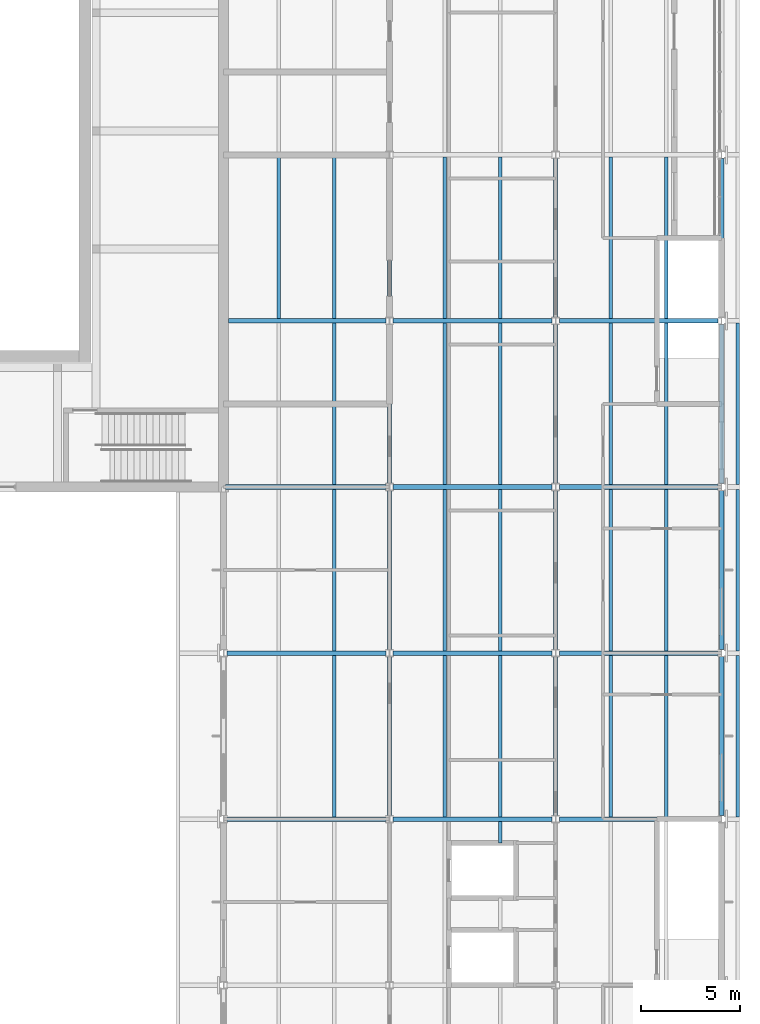
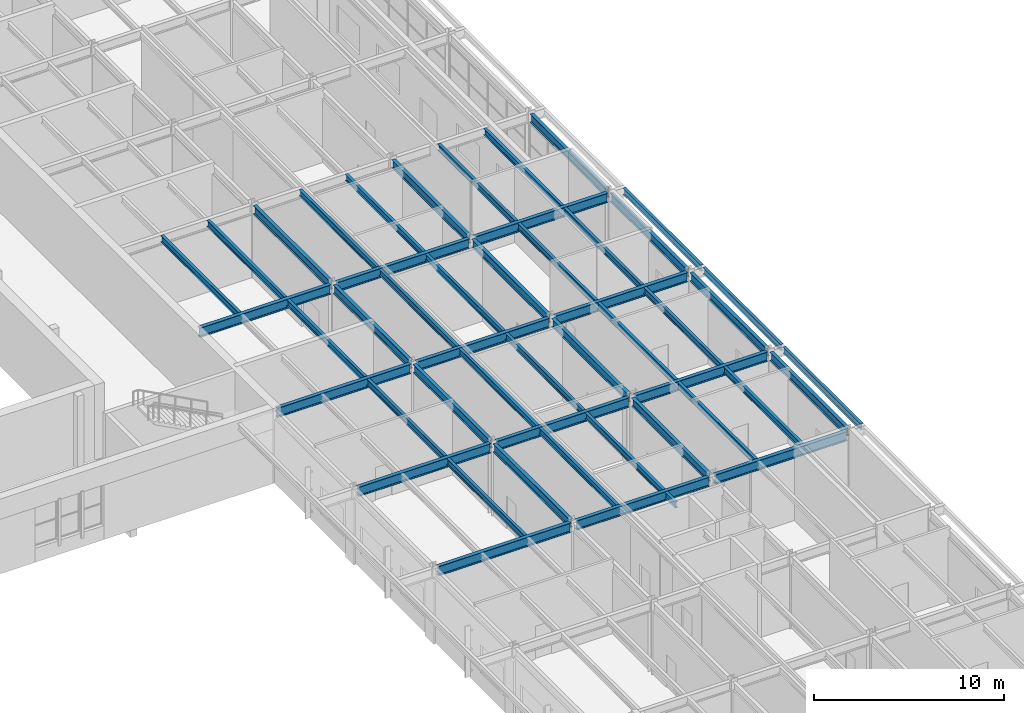
# One storey, part 28 of 116: 49 beams.
"""IFC4 building model written with IfcOpenShell, lengths in metres."""

import ifcopenshell
import ifcopenshell.guid

model = None  # the IFC model being written
_history = None  # IfcOwnerHistory: only IFC2X3 demands one
_inside = {}  # id of a spatial element -> (the spatial element, [elements in it])
_under = {}  # id of a project, library or spatial element -> (it, [spatial elements below it])
_declared = {}  # id of a project -> (the project, [libraries it declares])
_typed = {}  # id of a type object -> (the type object, [elements of that type])
_made_of = {}  # id of a material, layer set ... -> (it, [elements and type objects made of it])


def new_model(schema):
    """Start an empty IFC model of exactly this schema.

    Asked for "IFC4X3", IfcOpenShell would pick the latest addendum, in which some entities
    have other attributes; the version numbers below select the first issue.
    IFC2X3 requires an IfcOwnerHistory on every rooted entity: one is made here for all.
    """
    global model, _history
    if schema == "IFC4X3":
        model = ifcopenshell.file(schema_version=(4, 3, 0, 0))
    else:
        model = ifcopenshell.file(schema=schema)
    _inside.clear()
    _under.clear()
    _declared.clear()
    _typed.clear()
    _made_of.clear()
    _history = None
    if model.schema == "IFC2X3":
        org = make("IfcOrganization", Name="unknown")
        user = make(
            "IfcPersonAndOrganization",
            ThePerson=make("IfcPerson", FamilyName="unknown"),
            TheOrganization=org,
        )
        app = make(
            "IfcApplication",
            ApplicationDeveloper=org,
            Version="unknown",
            ApplicationFullName="unknown",
            ApplicationIdentifier="unknown",
        )
        _history = make(
            "IfcOwnerHistory",
            OwningUser=user,
            OwningApplication=app,
            ChangeAction="ADDED",
            CreationDate=0,
        )
    return model


def make(cls, **values):
    """One entity of the class cls with the attributes given. An attribute that is None is left unset."""
    return model.create_entity(
        cls, **{name: value for name, value in values.items() if value is not None}
    )


def rooted(cls, **values):
    """An entity with a GlobalId (a new one), such as an element, a storey or a relation."""
    return make(cls, GlobalId=ifcopenshell.guid.new(), OwnerHistory=_history, **values)


def si_unit(unit_type, name, prefix=None):
    """IfcSIUnit, for example si_unit("LENGTHUNIT", "METRE", prefix="MILLI")."""
    return make("IfcSIUnit", UnitType=unit_type, Prefix=prefix, Name=name)


def assignment(units):
    """IfcUnitAssignment: the units of a project."""
    return None if units is None else make("IfcUnitAssignment", Units=units)


def point(xyz):
    """IfcCartesianPoint."""
    return None if xyz is None else make("IfcCartesianPoint", Coordinates=xyz)


def direction(xyz):
    """IfcDirection."""
    return None if xyz is None else make("IfcDirection", DirectionRatios=xyz)


def frame(location, z_axis=None, x_axis=None):
    """IfcAxis2Placement3D, a coordinate frame: its origin and axes. An axis left out is left unset."""
    return make(
        "IfcAxis2Placement3D",
        Location=point(location),
        Axis=direction(z_axis),
        RefDirection=direction(x_axis),
    )


def frame_2d(location, x_axis=None):
    """IfcAxis2Placement2D, a coordinate frame in the plane: its origin and x axis."""
    return make(
        "IfcAxis2Placement2D", Location=point(location), RefDirection=direction(x_axis)
    )


def origin():
    """The frame at (0, 0, 0) with its axes left unset."""
    return frame((0.0, 0.0, 0.0))


def origin_2d():
    """The frame at (0, 0) in the plane with its x axis left unset."""
    return frame_2d((0.0, 0.0))


def place(relative_to, where):
    """IfcLocalPlacement: puts the frame where relative to a parent placement (None: the world)."""
    return make(
        "IfcLocalPlacement", PlacementRelTo=relative_to, RelativePlacement=where
    )


def context(
    kind, dimensions, precision=None, world=None, true_north=None, identifier=None
):
    """IfcGeometricRepresentationContext, for example the 3D "Model" context."""
    return make(
        "IfcGeometricRepresentationContext",
        ContextIdentifier=identifier,
        ContextType=kind,
        CoordinateSpaceDimension=dimensions,
        Precision=precision,
        WorldCoordinateSystem=world,
        TrueNorth=true_north,
    )


def subcontext(parent, identifier, kind, view, scale=None):
    """IfcGeometricRepresentationSubContext, for example "Body" below "Model"."""
    return make(
        "IfcGeometricRepresentationSubContext",
        ContextIdentifier=identifier,
        ContextType=kind,
        ParentContext=parent,
        TargetScale=scale,
        TargetView=view,
    )


def project(units=None, contexts=None):
    """IfcProject with its units and contexts."""
    return rooted(
        "IfcProject",
        Name="project",
        RepresentationContexts=contexts,
        UnitsInContext=assignment(units),
    )


def spatial(cls, under=None, at=None, **own):
    """A site, building, storey or space (cls), placed at a placement, below another one or the project."""
    s = rooted(cls, ObjectPlacement=at, **own)
    if under is not None:
        _under.setdefault(under.id(), (under, []))[1].append(s)
    return s


def profile(cls, at=None, kind="AREA", **sizes):
    """A parametric profile (cls). Its sizes go by their IFC names, for example OverallWidth=200.0."""
    return make(cls, ProfileType=kind, Position=at, **sizes)


def i_section(**sizes):
    """IfcIShapeProfileDef."""
    return profile("IfcIShapeProfileDef", **sizes)


def extrude(swept, where, along, depth):
    """IfcExtrudedAreaSolid: the profile swept, set in the frame where, extruded along a direction by depth."""
    return make(
        "IfcExtrudedAreaSolid",
        SweptArea=swept,
        Position=where,
        ExtrudedDirection=direction(along),
        Depth=depth,
    )


def shape(context_of_items, identifier, shape_type, items):
    """IfcShapeRepresentation: the items that make up one representation, for example the "Body"."""
    return make(
        "IfcShapeRepresentation",
        ContextOfItems=context_of_items,
        RepresentationIdentifier=identifier,
        RepresentationType=shape_type,
        Items=items,
    )


def material(Name=None, Category=None):
    """IfcMaterial."""
    return make("IfcMaterial", Name=Name, Category=Category)


def material_profile(
    of_material, cross_section, Name=None, Category=None, Priority=None
):
    """IfcMaterialProfile: a cross section and its material."""
    return make(
        "IfcMaterialProfile",
        Name=Name,
        Material=of_material,
        Profile=cross_section,
        Priority=Priority,
        Category=Category,
    )


def profile_set(profiles, Name=None, composite=None):
    """IfcMaterialProfileSet."""
    return make(
        "IfcMaterialProfileSet",
        Name=Name,
        MaterialProfiles=profiles,
        CompositeProfile=composite,
    )


def made_of(thing, what):
    """Note that an element or type object is made of a material, layer set ...; save() writes the relation."""
    if what is not None:
        _made_of.setdefault(what.id(), (what, []))[1].append(thing)
    return thing


def type_object(cls, material=None, **own):
    """A type object (cls), such as IfcWallType, which elements share."""
    return made_of(rooted(cls, **own), material)


def element(
    cls,
    number,
    at=None,
    inside=None,
    cuts=None,
    type_object=None,
    material=None,
    context=None,
    identifier="Body",
    shape_type=None,
    held_by="IfcProductDefinitionShape",
    body=None,
    shapes=None,
    **own,
):
    """One element of the class cls, such as IfcWall. Its Tag is "e" and its number.

    at: its placement. inside: the storey or other place that contains it. cuts: it is an
    opening in that element (IfcRelVoidsElement). A single representation is given by context,
    identifier, shape_type and body (its items); several are given by shapes. held_by: the class
    of the entity that holds the representations. save() writes the other relations.
    """
    e = rooted(cls, Tag="e%d" % number, ObjectPlacement=at, **own)
    if body is not None:
        shapes = [shape(context, identifier, shape_type, body)]
    if shapes is not None:
        e.Representation = make(held_by, Representations=shapes)
    if inside is not None:
        _inside.setdefault(inside.id(), (inside, []))[1].append(e)
    if cuts is not None:
        rooted(
            "IfcRelVoidsElement", RelatingBuildingElement=cuts, RelatedOpeningElement=e
        )
    if type_object is not None:
        _typed.setdefault(type_object.id(), (type_object, []))[1].append(e)
    return made_of(e, material)


def aggregate(whole, parts):
    """IfcRelAggregates: a whole, such as a stair, and the parts it consists of."""
    return rooted("IfcRelAggregates", RelatingObject=whole, RelatedObjects=parts)


def save(model, path):
    """Write the relations noted so far, then the file.

    IfcRelAggregates (storeys below a building ...), IfcRelContainedInSpatialStructure (elements
    in a storey), IfcRelDefinesByType, IfcRelAssociatesMaterial and IfcRelDeclares: one each for
    every whole, place, type object, material and project.
    """
    for whole, parts in _under.values():
        aggregate(whole, parts)
    for where, things in _inside.values():
        rooted(
            "IfcRelContainedInSpatialStructure",
            RelatedElements=things,
            RelatingStructure=where,
        )
    for kind, things in _typed.values():
        rooted("IfcRelDefinesByType", RelatedObjects=things, RelatingType=kind)
    for what, things in _made_of.values():
        rooted("IfcRelAssociatesMaterial", RelatedObjects=things, RelatingMaterial=what)
    for by, libraries in _declared.values():
        rooted("IfcRelDeclares", RelatingContext=by, RelatedDefinitions=libraries)
    model.write(path)


model = new_model("IFC4")

# Units and contexts
model_context = context("Model", 3, precision=1e-05, world=origin(), true_north=direction((0.0, 1.0)))
body_context = subcontext(model_context, "Body", "Model", "MODEL_VIEW")
ifc_project = project(units=[si_unit("LENGTHUNIT", "METRE"), si_unit("AREAUNIT", "SQUARE_METRE"), si_unit("VOLUMEUNIT", "CUBIC_METRE"), si_unit("PLANEANGLEUNIT", "RADIAN"), si_unit("MASSUNIT", "GRAM", prefix="KILO")], contexts=[model_context])

# Site, building, storey
site_placement = place(None, origin())
site = spatial("IfcSite", under=ifc_project, at=site_placement, CompositionType="ELEMENT")
building_placement = place(site_placement, origin())
building = spatial("IfcBuilding", under=site, at=building_placement, Name="Ljudholm Concert House", CompositionType="ELEMENT")
storey_placement = place(building_placement, frame((0.0, 0.0, 10.199951171875)))
storey = spatial("IfcBuildingStorey", under=building, at=storey_placement, Name="L02", CompositionType="ELEMENT", Elevation=10.199951171875)

# Beams
ifc_material_1 = material(Name="Steel ASTM A992", Category="steel")
ifc_material_profile_1 = material_profile(ifc_material_1, i_section(OverallWidth=0.177734375, OverallDepth=0.406494140625, WebThickness=0.0078125, FlangeThickness=0.012939453125, FilletRadius=0.01025390625, at=origin_2d()), Name="W16X40")
ifc_profile_set_1 = profile_set([ifc_material_profile_1], Name="Steel ASTM A992")
beam_type_1 = type_object("IfcBeamType", Name="STEEL BEAM W16X40", PredefinedType="BEAM", material=ifc_profile_set_1)
for number, where, z_axis, x_axis, name in (
    (1, (102.0, 37.714599609375, 4.416748046875), (0.0, 1.0, 0.0), (-1.0, 0.0, 0.0), "Beam BOH-ROOF-sb-102-37.6"),
    (2, (102.0, 46.114501953125, 4.416748046875), (0.0, 1.0, 0.0), (-1.0, 0.0, 0.0), "Beam BOH-ROOF-sb-102-46"),
    (3, (102.0, 54.5146484375, 4.416748046875), (0.0, 1.0, 0.0), (-1.0, 0.0, 0.0), "Beam BOH-ROOF-sb-102-54.4"),
    (4, (99.199951171875, 62.91455078125, 4.416748046875), (0.0, 1.0, 0.0), (-1.0, 0.0, 0.0), "Beam BOH-ROOF-sb-99.2-62.8"),
    (5, (102.0, 62.91455078125, 4.416748046875), (0.0, 1.0, 0.0), (-1.0, 0.0, 0.0), "Beam BOH-ROOF-sb-102-62.8"),
):
    element("IfcBeam", number, at=place(storey_placement, frame(where, z_axis=z_axis, x_axis=x_axis)), inside=storey, type_object=beam_type_1, Name=name, PredefinedType="BEAM", context=body_context, shape_type="SweptSolid", body=[
        extrude(i_section(OverallWidth=0.177734375, OverallDepth=0.406494140625, WebThickness=0.0078125, FlangeThickness=0.012939453125, FilletRadius=0.01025390625, at=origin_2d()), origin(), (0.0, 0.0, 1.0), 8.1708984375),
    ])
beam_1_placement = place(storey_placement, frame((110.39990234375, 36.39990234375, 4.416748046875), z_axis=(0.0, 1.0, 0.0), x_axis=(-1.0, 0.0, 0.0)))
element("IfcBeam", 6, at=beam_1_placement, inside=storey, type_object=beam_type_1, Name="Beam BOH-ROOF-sb-110.4-29.2-2", PredefinedType="BEAM", context=body_context, shape_type="SweptSolid", body=[
    extrude(i_section(OverallWidth=0.177734375, OverallDepth=0.406494140625, WebThickness=0.0078125, FlangeThickness=0.012939453125, FilletRadius=0.01025390625, at=origin_2d()), origin(), (0.0, 0.0, 1.0), 1.08544921875),
])
for number, where, z_axis, x_axis, name in (
    (7, (107.60009765625, 37.714599609375, 4.416748046875), (0.0, 1.0, 0.0), (-1.0, 0.0, 0.0), "Beam BOH-ROOF-sb-107.6-37.6"),
    (8, (110.39990234375, 37.714599609375, 4.416748046875), (0.0, 1.0, 0.0), (-1.0, 0.0, 0.0), "Beam BOH-ROOF-sb-110.4-37.6"),
    (9, (107.60009765625, 46.114501953125, 4.416748046875), (0.0, 1.0, 0.0), (-1.0, 0.0, 0.0), "Beam BOH-ROOF-sb-107.6-46"),
    (10, (110.39990234375, 46.114501953125, 4.416748046875), (0.0, 1.0, 0.0), (-1.0, 0.0, 0.0), "Beam BOH-ROOF-sb-110.4-46"),
    (11, (107.60009765625, 54.5146484375, 4.416748046875), (0.0, 1.0, 0.0), (-1.0, 0.0, 0.0), "Beam BOH-ROOF-sb-107.6-54.4"),
    (12, (110.39990234375, 54.5146484375, 4.416748046875), (0.0, 1.0, 0.0), (-1.0, 0.0, 0.0), "Beam BOH-ROOF-sb-110.4-54.4"),
    (13, (107.60009765625, 62.91455078125, 4.416748046875), (0.0, 1.0, 0.0), (-1.0, 0.0, 0.0), "Beam BOH-ROOF-sb-107.6-62.8"),
    (14, (110.39990234375, 62.91455078125, 4.416748046875), (0.0, 1.0, 0.0), (-1.0, 0.0, 0.0), "Beam BOH-ROOF-sb-110.4-62.8"),
    (15, (116.0, 37.714599609375, 4.416748046875), (0.0, 1.0, 0.0), (-1.0, 0.0, 0.0), "Beam BOH-ROOF-sb-116-37.6"),
    (16, (118.800048828125, 37.714599609375, 4.416748046875), (0.0, 1.0, 0.0), (-1.0, 0.0, 0.0), "Beam BOH-ROOF-sb-118.8-37.6"),
    (17, (116.0, 46.114501953125, 4.416748046875), (0.0, 1.0, 0.0), (-1.0, 0.0, 0.0), "Beam BOH-ROOF-sb-116-46"),
    (18, (118.800048828125, 46.114501953125, 4.416748046875), (0.0, 1.0, 0.0), (-1.0, 0.0, 0.0), "Beam BOH-ROOF-sb-118.8-46"),
    (19, (116.0, 54.5146484375, 4.416748046875), (0.0, 1.0, 0.0), (-1.0, 0.0, 0.0), "Beam BOH-ROOF-sb-116-54.4"),
    (20, (118.800048828125, 54.5146484375, 4.416748046875), (0.0, 1.0, 0.0), (-1.0, 0.0, 0.0), "Beam BOH-ROOF-sb-118.8-54.4"),
    (21, (116.0, 62.91455078125, 4.416748046875), (0.0, 1.0, 0.0), (-1.0, 0.0, 0.0), "Beam BOH-ROOF-sb-116-62.8"),
    (22, (118.800048828125, 62.91455078125, 4.416748046875), (0.0, 1.0, 0.0), (-1.0, 0.0, 0.0), "Beam BOH-ROOF-sb-118.8-62.8"),
    (23, (122.4111328125, 37.714599609375, 4.416748046875), (0.0, 1.0, 0.0), (-1.0, 0.0, 0.0), "Beam BOH-ROOF-eave-edge-E5"),
    (24, (122.4111328125, 46.114501953125, 4.416748046875), (0.0, 1.0, 0.0), (-1.0, 0.0, 0.0), "Beam BOH-ROOF-eave-edge-E6"),
    (25, (122.4111328125, 54.5146484375, 4.416748046875), (0.0, 1.0, 0.0), (-1.0, 0.0, 0.0), "Beam BOH-ROOF-eave-edge-E7"),
):
    element("IfcBeam", number, at=place(storey_placement, frame(where, z_axis=z_axis, x_axis=x_axis)), inside=storey, type_object=beam_type_1, Name=name, PredefinedType="BEAM", context=body_context, shape_type="SweptSolid", body=[
        extrude(i_section(OverallWidth=0.177734375, OverallDepth=0.406494140625, WebThickness=0.0078125, FlangeThickness=0.012939453125, FilletRadius=0.01025390625, at=origin_2d()), origin(), (0.0, 0.0, 1.0), 8.1708984375),
    ])
ifc_material_2 = material(Name="Steel ASTM A992", Category="steel")
ifc_material_profile_2 = material_profile(ifc_material_2, i_section(OverallWidth=0.209228515625, OverallDepth=0.533447265625, WebThickness=0.01025390625, FlangeThickness=0.015625, FilletRadius=0.012939453125, at=origin_2d()), Name="W21X62")
ifc_profile_set_2 = profile_set([ifc_material_profile_2], Name="Steel ASTM A992")
beam_type_2 = type_object("IfcBeamType", Name="STEEL BEAM W21X62", PredefinedType="BEAM", material=ifc_profile_set_2)
for number, where, z_axis, x_axis, name in (
    (26, (104.800048828125, 37.77783203125, 4.353271484375), (0.0, 1.0, 0.0), (-1.0, 0.0, 0.0), "Beam BOH-ROOF-gy-104.8-37.6"),
    (27, (104.800048828125, 46.177734375, 4.353271484375), (0.0, 1.0, 0.0), (-1.0, 0.0, 0.0), "Beam BOH-ROOF-gy-104.8-46"),
    (28, (104.800048828125, 54.577880859375, 4.353271484375), (0.0, 1.0, 0.0), (-1.0, 0.0, 0.0), "Beam BOH-ROOF-gy-104.8-54.4"),
    (29, (104.800048828125, 62.977783203125, 4.353271484375), (0.0, 1.0, 0.0), (-1.0, 0.0, 0.0), "Beam BOH-ROOF-gy-104.8-62.8"),
    (30, (113.199951171875, 37.77783203125, 4.353271484375), (0.0, 1.0, 0.0), (-1.0, 0.0, 0.0), "Beam BOH-ROOF-gy-113.2-37.6"),
    (31, (113.199951171875, 46.177734375, 4.353271484375), (0.0, 1.0, 0.0), (-1.0, 0.0, 0.0), "Beam BOH-ROOF-gy-113.2-46"),
    (32, (113.199951171875, 54.577880859375, 4.353271484375), (0.0, 1.0, 0.0), (-1.0, 0.0, 0.0), "Beam BOH-ROOF-gy-113.2-54.4"),
    (33, (113.199951171875, 62.977783203125, 4.353271484375), (0.0, 1.0, 0.0), (-1.0, 0.0, 0.0), "Beam BOH-ROOF-gy-113.2-62.8"),
    (34, (121.60009765625, 37.77783203125, 4.353271484375), (0.0, 1.0, 0.0), (-1.0, 0.0, 0.0), "Beam BOH-ROOF-gy-121.6-37.6"),
    (35, (121.60009765625, 46.177734375, 4.353271484375), (0.0, 1.0, 0.0), (-1.0, 0.0, 0.0), "Beam BOH-ROOF-gy-121.6-46"),
    (36, (121.60009765625, 54.577880859375, 4.353271484375), (0.0, 1.0, 0.0), (-1.0, 0.0, 0.0), "Beam BOH-ROOF-gy-121.6-54.4"),
    (37, (121.60009765625, 62.977783203125, 4.353271484375), (0.0, 1.0, 0.0), (-1.0, 0.0, 0.0), "Beam BOH-ROOF-gy-121.6-62.8"),
):
    element("IfcBeam", number, at=place(storey_placement, frame(where, z_axis=z_axis, x_axis=x_axis)), inside=storey, type_object=beam_type_2, Name=name, PredefinedType="BEAM", context=body_context, shape_type="SweptSolid", body=[
        extrude(i_section(OverallWidth=0.209228515625, OverallDepth=0.533447265625, WebThickness=0.01025390625, FlangeThickness=0.015625, FilletRadius=0.012939453125, at=origin_2d()), origin(), (0.0, 0.0, 1.0), 8.04443359375),
    ])
ifc_material_3 = material(Name="Steel ASTM A992", Category="steel")
ifc_material_profile_3 = material_profile(ifc_material_3, i_section(OverallWidth=0.22900390625, OverallDepth=0.612060546875, WebThickness=0.011962890625, FlangeThickness=0.01953125, FilletRadius=0.0126953125, at=origin_2d()), Name="W24X84")
ifc_profile_set_3 = profile_set([ifc_material_profile_3], Name="Steel ASTM A992")
beam_type_3 = type_object("IfcBeamType", Name="STEEL BEAM W24X84", PredefinedType="BEAM", material=ifc_profile_set_3)
for number, where, z_axis, x_axis, name in (
    (38, (96.584228515625, 37.60009765625, 4.31396484375), (1.0, 0.0, 0.0), (0.0, 1.0, 0.0), "Beam BOH-ROOF-gx-96.4-37.6"),
    (39, (104.984130859375, 37.60009765625, 4.31396484375), (1.0, 0.0, 0.0), (0.0, 1.0, 0.0), "Beam BOH-ROOF-gx-104.8-37.6"),
    (40, (113.384033203125, 37.60009765625, 4.31396484375), (1.0, 0.0, 0.0), (0.0, 1.0, 0.0), "Beam BOH-ROOF-gx-113.2-37.6"),
    (41, (96.584228515625, 46.0, 4.31396484375), (1.0, 0.0, 0.0), (0.0, 1.0, 0.0), "Beam BOH-ROOF-gx-96.4-46"),
    (42, (104.984130859375, 46.0, 4.31396484375), (1.0, 0.0, 0.0), (0.0, 1.0, 0.0), "Beam BOH-ROOF-gx-104.8-46"),
    (43, (113.384033203125, 46.0, 4.31396484375), (1.0, 0.0, 0.0), (0.0, 1.0, 0.0), "Beam BOH-ROOF-gx-113.2-46"),
):
    element("IfcBeam", number, at=place(storey_placement, frame(where, z_axis=z_axis, x_axis=x_axis)), inside=storey, type_object=beam_type_3, Name=name, PredefinedType="BEAM", context=body_context, shape_type="SweptSolid", body=[
        extrude(i_section(OverallWidth=0.22900390625, OverallDepth=0.612060546875, WebThickness=0.011962890625, FlangeThickness=0.01953125, FilletRadius=0.0126953125, at=origin_2d()), origin(), (0.0, 0.0, 1.0), 8.03173828125),
    ])
beam_2_placement = place(storey_placement, frame((96.504638671875, 54.39990234375, 4.31396484375), z_axis=(1.0, 0.0, 0.0), x_axis=(0.0, 1.0, 0.0)))
element("IfcBeam", 44, at=beam_2_placement, inside=storey, type_object=beam_type_3, Name="Beam BOH-ROOF-gx-96.4-54.4", PredefinedType="BEAM", context=body_context, shape_type="SweptSolid", body=[
    extrude(i_section(OverallWidth=0.22900390625, OverallDepth=0.612060546875, WebThickness=0.011962890625, FlangeThickness=0.01953125, FilletRadius=0.0126953125, at=origin_2d()), origin(), (0.0, 0.0, 1.0), 8.111328125),
])
for number, where, z_axis, x_axis, name in (
    (45, (104.984130859375, 54.39990234375, 4.31396484375), (1.0, 0.0, 0.0), (0.0, 1.0, 0.0), "Beam BOH-ROOF-gx-104.8-54.4"),
    (46, (113.384033203125, 54.39990234375, 4.31396484375), (1.0, 0.0, 0.0), (0.0, 1.0, 0.0), "Beam BOH-ROOF-gx-113.2-54.4"),
):
    element("IfcBeam", number, at=place(storey_placement, frame(where, z_axis=z_axis, x_axis=x_axis)), inside=storey, type_object=beam_type_3, Name=name, PredefinedType="BEAM", context=body_context, shape_type="SweptSolid", body=[
        extrude(i_section(OverallWidth=0.22900390625, OverallDepth=0.612060546875, WebThickness=0.011962890625, FlangeThickness=0.01953125, FilletRadius=0.0126953125, at=origin_2d()), origin(), (0.0, 0.0, 1.0), 8.03173828125),
    ])
beam_3_placement = place(storey_placement, frame((96.64990234375, 62.800048828125, 4.31396484375), z_axis=(1.0, 0.0, 0.0), x_axis=(0.0, 1.0, 0.0)))
element("IfcBeam", 47, at=beam_3_placement, inside=storey, type_object=beam_type_3, Name="Beam BOH-ROOF-gx-96.4-62.8", PredefinedType="BEAM", context=body_context, shape_type="SweptSolid", body=[
    extrude(i_section(OverallWidth=0.22900390625, OverallDepth=0.612060546875, WebThickness=0.011962890625, FlangeThickness=0.01953125, FilletRadius=0.0126953125, at=origin_2d()), origin(), (0.0, 0.0, 1.0), 7.966064453125),
])
for number, where, z_axis, x_axis, name in (
    (48, (104.984130859375, 62.800048828125, 4.31396484375), (1.0, 0.0, 0.0), (0.0, 1.0, 0.0), "Beam BOH-ROOF-gx-104.8-62.8"),
    (49, (113.384033203125, 62.800048828125, 4.31396484375), (1.0, 0.0, 0.0), (0.0, 1.0, 0.0), "Beam BOH-ROOF-gx-113.2-62.8"),
):
    element("IfcBeam", number, at=place(storey_placement, frame(where, z_axis=z_axis, x_axis=x_axis)), inside=storey, type_object=beam_type_3, Name=name, PredefinedType="BEAM", context=body_context, shape_type="SweptSolid", body=[
        extrude(i_section(OverallWidth=0.22900390625, OverallDepth=0.612060546875, WebThickness=0.011962890625, FlangeThickness=0.01953125, FilletRadius=0.0126953125, at=origin_2d()), origin(), (0.0, 0.0, 1.0), 8.03173828125),
    ])

save(model, "model.ifc")
